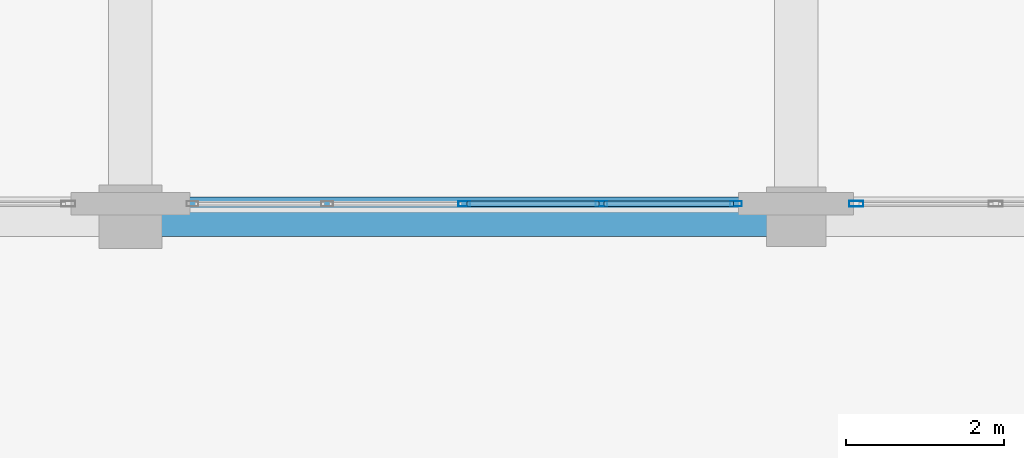
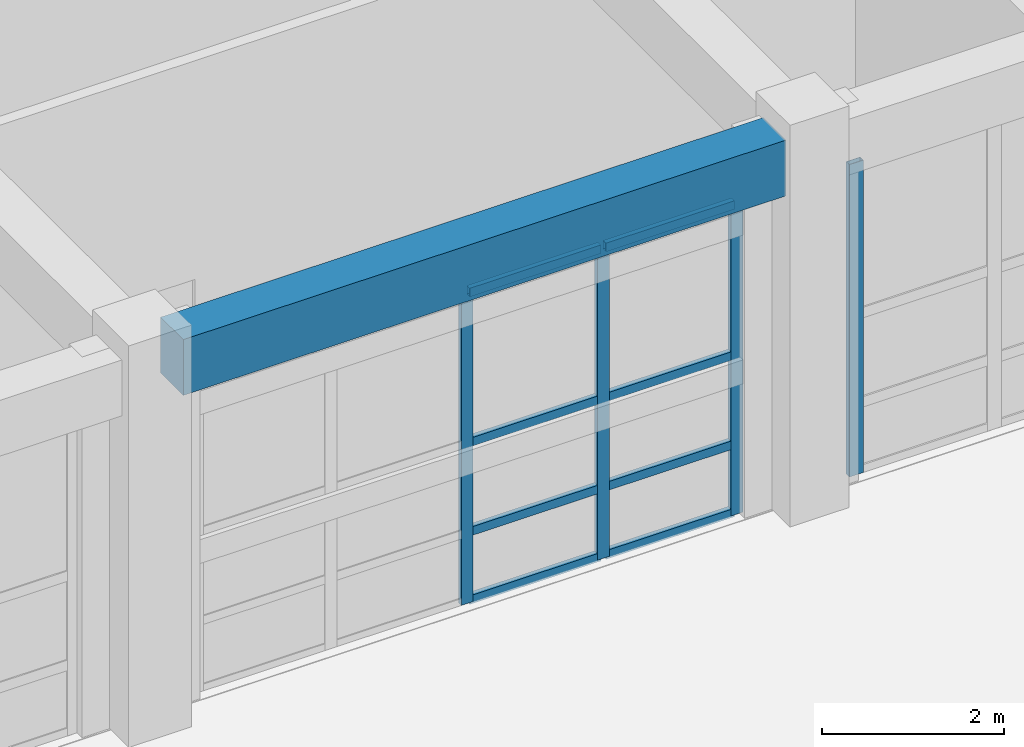
# One storey, part 96 of 148: 12 members, 1 beam, 2 elements without a shape of their own.
"""IFC4 building model written with IfcOpenShell, lengths in metres."""

from ifc_helpers import new_model, si_unit, direction, frame, origin, origin_2d, place, context, subcontext, project, spatial, rectangle, hollow_rectangle, extrude, material, layer, layer_set, material_profile, profile_set, type_object, element, aggregate, save


model = new_model("IFC4")

# Units and contexts
model_context = context("Model", 3, precision=1e-05, world=origin(), true_north=direction((0.0, 1.0)))
body_context = subcontext(model_context, "Body", "Model", "MODEL_VIEW")
ifc_project = project(units=[si_unit("LENGTHUNIT", "METRE"), si_unit("AREAUNIT", "SQUARE_METRE"), si_unit("VOLUMEUNIT", "CUBIC_METRE"), si_unit("PLANEANGLEUNIT", "RADIAN"), si_unit("MASSUNIT", "GRAM", prefix="KILO")], contexts=[model_context])

# Site, building, storey
site_placement = place(None, origin())
site = spatial("IfcSite", under=ifc_project, at=site_placement, CompositionType="ELEMENT")
building_placement = place(site_placement, origin())
building = spatial("IfcBuilding", under=site, at=building_placement, Name="Quendrovan Civic Courthouse", CompositionType="ELEMENT")
storey_placement = place(building_placement, origin())
storey = spatial("IfcBuildingStorey", under=building, at=storey_placement, Name="L01", CompositionType="ELEMENT", Elevation=0.0)

# Beam
ifc_material_1 = material(Name="Concrete C40/50", Category="concrete")
ifc_material_profile_1 = material_profile(ifc_material_1, rectangle(XDim=0.5, YDim=0.75, at=origin_2d()), Name="RC-BM-500x750")
ifc_profile_set_1 = profile_set([ifc_material_profile_1], Name="Concrete C40/50")
beam_type = type_object("IfcBeamType", Name="BM-RC750", PredefinedType="SPANDREL", material=ifc_profile_set_1)
beam_placement = place(storey_placement, frame((134.780029296875, 87.60009765625, 4.7451171875), z_axis=(1.0, 0.0, 0.0), x_axis=(0.0, 1.0, 0.0)))
element("IfcBeam", 1, at=beam_placement, inside=storey, type_object=beam_type, Name="L01 Girder X0328", PredefinedType="SPANDREL", context=body_context, shape_type="SweptSolid", body=[
    extrude(rectangle(XDim=0.5, YDim=0.75, at=origin_2d()), origin(), (0.0, 0.0, 1.0), 7.6650390625),
])

# Curtain wall, member
ifc_material_2 = material(Name="Bronze anodised aluminium and low-E glass", Category="aluminium")
ifc_layer_1 = layer(ifc_material_2, 0.179931640625, Name="Bronze anodised aluminium and low-E glass")
ifc_layer_set_1 = layer_set([ifc_layer_1], Name="Bronze anodised aluminium and low-E glass")
curtain_wall_type_1 = type_object("IfcCurtainWallType", Name="CW-U72x42", PredefinedType="USERDEFINED", material=ifc_layer_set_1)
curtain_wall_1_placement = place(storey_placement, origin())
curtain_wall_1 = element("IfcCurtainWall", 2, at=curtain_wall_1_placement, inside=storey, type_object=curtain_wall_type_1, Name="L01 Unitised Hurricane Curtain Wall CW-044", ObjectType="UNITISED CURTAIN WALL", PredefinedType="USERDEFINED")
ifc_material_3 = material(Name="Bronze anodised aluminium", Category="aluminium")
ifc_material_profile_2 = material_profile(ifc_material_3, hollow_rectangle(XDim=0.070068359375, YDim=0.179931640625, WallThickness=0.00390625, at=origin_2d()), Name="CW-MULL-70x180")
ifc_profile_set_2 = profile_set([ifc_material_profile_2], Name="Bronze anodised aluminium")
member_type_1 = type_object("IfcMemberType", Name="CW-MULL-A", PredefinedType="MULLION", material=ifc_profile_set_2)
member_1_placement = place(storey_placement, frame((143.56005859375, 87.764892578125, 0.0), z_axis=(0.0, 0.0, 1.0), x_axis=(0.0, -1.0, 0.0)))
member_1 = element("IfcMember", 3, at=member_1_placement, type_object=member_type_1, Name="CW-044 mullion 5", PredefinedType="MULLION", context=body_context, shape_type="SweptSolid", body=[
    extrude(hollow_rectangle(XDim=0.070068359375, YDim=0.179931640625, WallThickness=0.00390625, at=origin_2d()), origin(), (0.0, 0.0, 1.0), 4.199951171875),
])
aggregate(curtain_wall_1, [member_1])

# Curtain wall, members
ifc_layer_2 = layer(ifc_material_2, 0.179931640625, Name="Bronze anodised aluminium and low-E glass")
ifc_layer_set_2 = layer_set([ifc_layer_2], Name="Bronze anodised aluminium and low-E glass")
curtain_wall_type_2 = type_object("IfcCurtainWallType", Name="CW-U69x42", PredefinedType="USERDEFINED", material=ifc_layer_set_2)
curtain_wall_2_placement = place(storey_placement, origin())
curtain_wall_2 = element("IfcCurtainWall", 4, at=curtain_wall_2_placement, inside=storey, type_object=curtain_wall_type_2, Name="L01 Unitised Hurricane Curtain Wall CW-045", ObjectType="UNITISED CURTAIN WALL", PredefinedType="USERDEFINED")
ifc_material_profile_3 = material_profile(ifc_material_3, hollow_rectangle(XDim=0.06494140625, YDim=0.14990234375, WallThickness=0.00390625, at=origin_2d()), Name="CW-MULL-65x150")
ifc_profile_set_3 = profile_set([ifc_material_profile_3], Name="Bronze anodised aluminium")
member_type_2 = type_object("IfcMemberType", Name="CW-MULL-B", PredefinedType="MULLION", material=ifc_profile_set_3)
member_2_placement = place(storey_placement, frame((142.04248046875, 87.764892578125, 0.0), z_axis=(0.0, 0.0, 1.0), x_axis=(0.0, -1.0, 0.0)))
member_2 = element("IfcMember", 5, at=member_2_placement, type_object=member_type_2, Name="CW-045 mullion 1", PredefinedType="MULLION", context=body_context, shape_type="SweptSolid", body=[
    extrude(hollow_rectangle(XDim=0.06494140625, YDim=0.14990234375, WallThickness=0.00390625, at=origin_2d()), origin(), (0.0, 0.0, 1.0), 4.199951171875),
])
member_3_placement = place(storey_placement, frame((140.34375, 87.764892578125, 0.0), z_axis=(0.0, 0.0, 1.0), x_axis=(0.0, -1.0, 0.0)))
member_3 = element("IfcMember", 6, at=member_3_placement, type_object=member_type_2, Name="CW-045 mullion 2", PredefinedType="MULLION", context=body_context, shape_type="SweptSolid", body=[
    extrude(hollow_rectangle(XDim=0.06494140625, YDim=0.14990234375, WallThickness=0.00390625, at=origin_2d()), origin(), (0.0, 0.0, 1.0), 4.199951171875),
])
member_4_placement = place(storey_placement, frame((138.612548828125, 87.764892578125, 0.0), z_axis=(0.0, 0.0, 1.0), x_axis=(0.0, -1.0, 0.0)))
member_4 = element("IfcMember", 7, at=member_4_placement, type_object=member_type_2, Name="CW-045 mullion 3", PredefinedType="MULLION", context=body_context, shape_type="SweptSolid", body=[
    extrude(hollow_rectangle(XDim=0.06494140625, YDim=0.14990234375, WallThickness=0.00390625, at=origin_2d()), origin(), (0.0, 0.0, 1.0), 4.199951171875),
])
ifc_material_profile_4 = material_profile(ifc_material_3, hollow_rectangle(XDim=0.06494140625, YDim=0.114990234375, WallThickness=0.00390625, at=origin_2d()), Name="CW-TRAN-65x115")
ifc_profile_set_4 = profile_set([ifc_material_profile_4], Name="Bronze anodised aluminium")
member_type_3 = type_object("IfcMemberType", Name="CW-TRAN-B", PredefinedType="USERDEFINED", material=ifc_profile_set_4)
member_5_placement = place(storey_placement, frame((142.010009765625, 87.764892578125, 0.032470703125), z_axis=(-1.0, 0.0, 0.0), x_axis=(0.0, -1.0, 0.0)))
member_5 = element("IfcMember", 8, at=member_5_placement, type_object=member_type_3, Name="CW-045 transom 1.1", ObjectType="TRANSOM", PredefinedType="USERDEFINED", context=body_context, shape_type="SweptSolid", body=[
    extrude(hollow_rectangle(XDim=0.06494140625, YDim=0.114990234375, WallThickness=0.00390625, at=origin_2d()), origin(), (0.0, 0.0, 1.0), 1.6337890625),
])
member_6_placement = place(storey_placement, frame((142.010009765625, 87.764892578125, 0.949951171875), z_axis=(-1.0, 0.0, 0.0), x_axis=(0.0, -1.0, 0.0)))
member_6 = element("IfcMember", 9, at=member_6_placement, type_object=member_type_3, Name="CW-045 transom 1.2", ObjectType="TRANSOM", PredefinedType="USERDEFINED", context=body_context, shape_type="SweptSolid", body=[
    extrude(hollow_rectangle(XDim=0.06494140625, YDim=0.114990234375, WallThickness=0.00390625, at=origin_2d()), origin(), (0.0, 0.0, 1.0), 1.6337890625),
])
member_7_placement = place(storey_placement, frame((142.010009765625, 87.764892578125, 2.14990234375), z_axis=(-1.0, 0.0, 0.0), x_axis=(0.0, -1.0, 0.0)))
member_7 = element("IfcMember", 10, at=member_7_placement, type_object=member_type_3, Name="CW-045 transom 1.3", ObjectType="TRANSOM", PredefinedType="USERDEFINED", context=body_context, shape_type="SweptSolid", body=[
    extrude(hollow_rectangle(XDim=0.06494140625, YDim=0.114990234375, WallThickness=0.00390625, at=origin_2d()), origin(), (0.0, 0.0, 1.0), 1.6337890625),
])
member_8_placement = place(storey_placement, frame((142.010009765625, 87.764892578125, 4.16748046875), z_axis=(-1.0, 0.0, 0.0), x_axis=(0.0, -1.0, 0.0)))
member_8 = element("IfcMember", 11, at=member_8_placement, type_object=member_type_3, Name="CW-045 transom 1.4", ObjectType="TRANSOM", PredefinedType="USERDEFINED", context=body_context, shape_type="SweptSolid", body=[
    extrude(hollow_rectangle(XDim=0.06494140625, YDim=0.114990234375, WallThickness=0.00390625, at=origin_2d()), origin(), (0.0, 0.0, 1.0), 1.6337890625),
])
member_9_placement = place(storey_placement, frame((140.311279296875, 87.764892578125, 0.032470703125), z_axis=(-1.0, 0.0, 0.0), x_axis=(0.0, -1.0, 0.0)))
member_9 = element("IfcMember", 12, at=member_9_placement, type_object=member_type_3, Name="CW-045 transom 2.1", ObjectType="TRANSOM", PredefinedType="USERDEFINED", context=body_context, shape_type="SweptSolid", body=[
    extrude(hollow_rectangle(XDim=0.06494140625, YDim=0.114990234375, WallThickness=0.00390625, at=origin_2d()), origin(), (0.0, 0.0, 1.0), 1.666259765625),
])
member_10_placement = place(storey_placement, frame((140.311279296875, 87.764892578125, 0.949951171875), z_axis=(-1.0, 0.0, 0.0), x_axis=(0.0, -1.0, 0.0)))
member_10 = element("IfcMember", 13, at=member_10_placement, type_object=member_type_3, Name="CW-045 transom 2.2", ObjectType="TRANSOM", PredefinedType="USERDEFINED", context=body_context, shape_type="SweptSolid", body=[
    extrude(hollow_rectangle(XDim=0.06494140625, YDim=0.114990234375, WallThickness=0.00390625, at=origin_2d()), origin(), (0.0, 0.0, 1.0), 1.666259765625),
])
member_11_placement = place(storey_placement, frame((140.311279296875, 87.764892578125, 2.14990234375), z_axis=(-1.0, 0.0, 0.0), x_axis=(0.0, -1.0, 0.0)))
member_11 = element("IfcMember", 14, at=member_11_placement, type_object=member_type_3, Name="CW-045 transom 2.3", ObjectType="TRANSOM", PredefinedType="USERDEFINED", context=body_context, shape_type="SweptSolid", body=[
    extrude(hollow_rectangle(XDim=0.06494140625, YDim=0.114990234375, WallThickness=0.00390625, at=origin_2d()), origin(), (0.0, 0.0, 1.0), 1.666259765625),
])
member_12_placement = place(storey_placement, frame((140.311279296875, 87.764892578125, 4.16748046875), z_axis=(-1.0, 0.0, 0.0), x_axis=(0.0, -1.0, 0.0)))
member_12 = element("IfcMember", 15, at=member_12_placement, type_object=member_type_3, Name="CW-045 transom 2.4", ObjectType="TRANSOM", PredefinedType="USERDEFINED", context=body_context, shape_type="SweptSolid", body=[
    extrude(hollow_rectangle(XDim=0.06494140625, YDim=0.114990234375, WallThickness=0.00390625, at=origin_2d()), origin(), (0.0, 0.0, 1.0), 1.666259765625),
])
aggregate(curtain_wall_2, [member_2, member_3, member_4, member_5, member_6, member_7, member_8, member_9, member_10, member_11, member_12])

save(model, "model.ifc")
